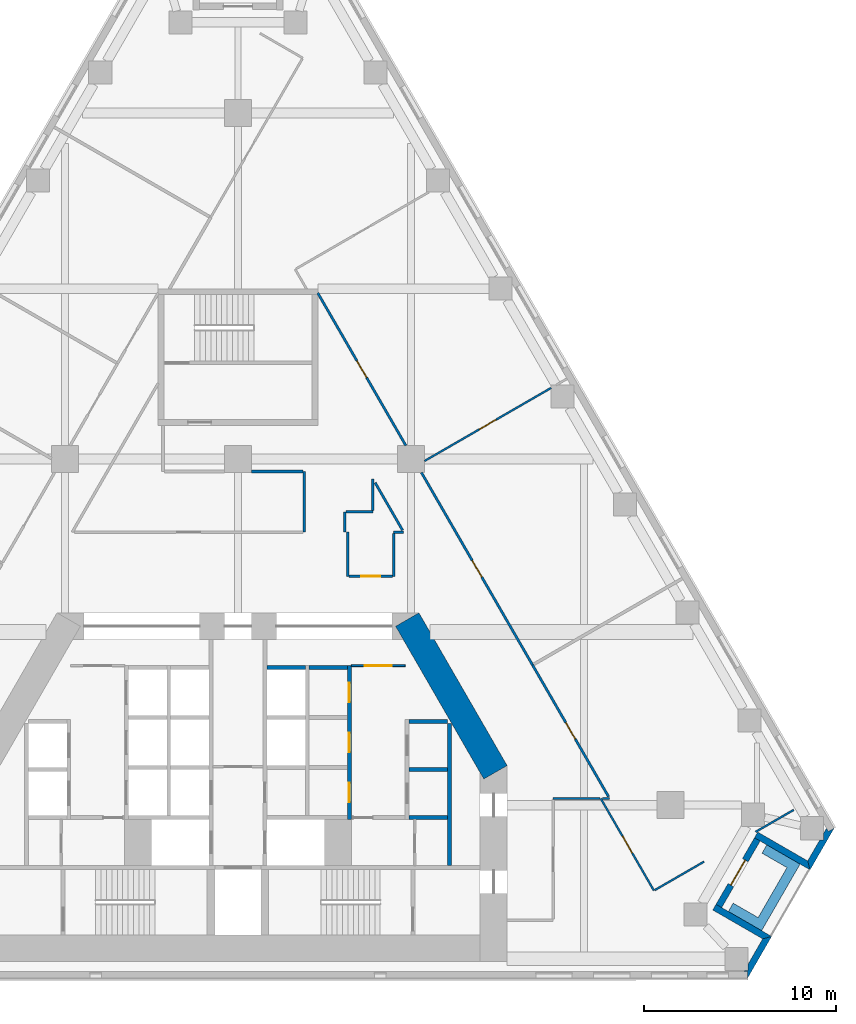
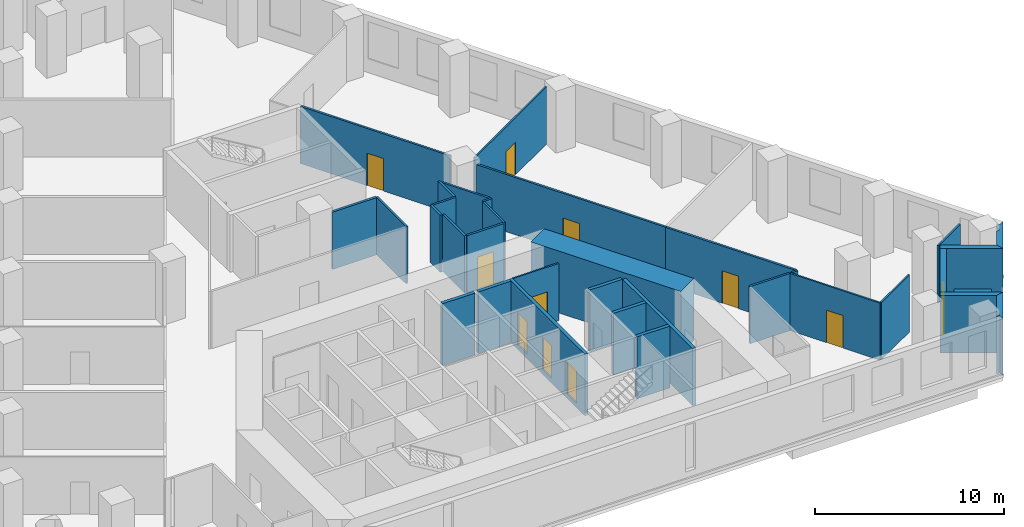
# One storey, part 6 of 9: 34 walls, 11 doors, 11 openings.
"""IFC4 building model written with IfcOpenShell, lengths in metres."""

from ifc_helpers import new_model, si_unit, direction, frame, frame_2d, origin, place, context, subcontext, project, spatial, polyline, rectangle, outline, extrude, material, layer, layer_set, type_object, element, fill, save


model = new_model("IFC4")

# Units and contexts
model_context = context("Model", 3, precision=1e-05, world=origin(), true_north=direction((0.0, 1.0)))
body_context = subcontext(model_context, "Body", "Model", "MODEL_VIEW")
ifc_project = project(units=[si_unit("LENGTHUNIT", "METRE"), si_unit("AREAUNIT", "SQUARE_METRE"), si_unit("VOLUMEUNIT", "CUBIC_METRE"), si_unit("PLANEANGLEUNIT", "RADIAN"), si_unit("MASSUNIT", "GRAM", prefix="KILO")], contexts=[model_context])

# Site, building, storey
site_placement = place(None, origin())
site = spatial("IfcSite", under=ifc_project, at=site_placement, CompositionType="ELEMENT")
building_placement = place(site_placement, origin())
building = spatial("IfcBuilding", under=site, at=building_placement, Name="Fogline Exchange Tower", CompositionType="ELEMENT")
storey_placement = place(building_placement, frame((0.0, 0.0, 80.89990234375)))
storey = spatial("IfcBuildingStorey", under=building, at=storey_placement, Name="L17", CompositionType="ELEMENT", Elevation=80.89990234375)

# Wall, opening, door
ifc_material_1 = material(Name="Blockwork partition", Category="masonry")
ifc_layer_1 = layer(ifc_material_1, 0.10009765625)
ifc_layer_set_1 = layer_set([ifc_layer_1], Name="CW10")
wall_type_1 = type_object("IfcWallType", Name="CW10", PredefinedType="PARTITIONING", material=ifc_layer_set_1)
wall_1_placement = place(storey_placement, frame((5.89990234375, 16.25, 0.0), z_axis=(0.0, 0.0, 1.0), x_axis=(1.0, 0.0, 0.0)))
wall_1 = element("IfcWall", 1, at=wall_1_placement, inside=storey, type_object=wall_type_1, Name="Lift lobby partition", PredefinedType="PARTITIONING", context=body_context, shape_type="SweptSolid", body=[
    extrude(rectangle(XDim=2.800048828125, YDim=0.10009765625, at=frame_2d((1.39990234375, 0.0))), origin(), (0.0, 0.0, 1.0), 3.7001953125),
])
opening_1_placement = place(wall_1_placement, frame((0.699951171875, 0.0, 0.0)))
opening_1 = element("IfcOpeningElement", 2, at=opening_1_placement, cuts=wall_1, Name="Opening T05-C013", PredefinedType="OPENING", context=body_context, shape_type="SweptSolid", body=[
    extrude(rectangle(XDim=1.39990234375, YDim=2.10009765625, at=frame_2d((0.699951171875, 1.050048828125))), frame((0.0, 0.06005859375, 0.0), z_axis=(0.0, -1.0, 0.0), x_axis=(1.0, 0.0, 0.0)), (0.0, 0.0, 1.0), 0.1201171875),
])
ifc_material_2 = material(Name="Steel and timber fire door", Category="steel")
door_type_1 = type_object("IfcDoorType", Name="D-LB1", OperationType="DOUBLE_DOOR_SINGLE_SWING", PredefinedType="DOOR", material=ifc_material_2)
door_1_placement = place(opening_1_placement, origin())
door_1 = element("IfcDoor", 3, at=door_1_placement, inside=storey, type_object=door_type_1, Name="Door to lift lobby", OperationType="DOUBLE_DOOR_SINGLE_SWING", OverallHeight=2.10009765625, OverallWidth=1.39990234375, PredefinedType="DOOR", context=body_context, shape_type="SweptSolid", body=[
    extrude(rectangle(XDim=1.39990234375, YDim=2.10009765625, at=frame_2d((0.699951171875, 1.050048828125))), frame((0.0, 0.02490234375, 0.0), z_axis=(0.0, -1.0, 0.0), x_axis=(1.0, 0.0, 0.0)), (0.0, 0.0, 1.0), 0.050048828125),
])
fill(opening_1, door_1)

# Wall
ifc_material_3 = material(Name="Concrete C40", Category="concrete")
ifc_layer_2 = layer(ifc_material_3, 0.199951171875)
ifc_layer_set_2 = layer_set([ifc_layer_2], Name="CW20")
wall_type_2 = type_object("IfcWallType", Name="CW20", PredefinedType="SOLIDWALL", material=ifc_layer_set_2)
wall_2_placement = place(storey_placement, frame((11.0, 5.85009765625, 0.0), z_axis=(0.0, 0.0, 1.0), x_axis=(0.0, 1.0, 0.0)))
element("IfcWall", 4, at=wall_2_placement, inside=storey, type_object=wall_type_2, Name="Service room wall", PredefinedType="SOLIDWALL", context=body_context, shape_type="SweptSolid", body=[
    extrude(rectangle(XDim=7.39990234375, YDim=0.199951171875, at=frame_2d((3.699951171875, 0.0))), origin(), (0.0, 0.0, 1.0), 3.7001953125),
])

# Wall, openings, doors
ifc_layer_3 = layer(ifc_material_3, 0.199951171875)
ifc_layer_set_3 = layer_set([ifc_layer_3], Name="CW20S")
wall_type_3 = type_object("IfcWallType", Name="CW20S", PredefinedType="SOLIDWALL", material=ifc_layer_set_3)
wall_3_placement = place(storey_placement, frame((5.800048828125, 8.25, -0.2998046875), z_axis=(0.0, 0.0, 1.0), x_axis=(0.0, 1.0, 0.0)))
wall_3 = element("IfcWall", 5, at=wall_3_placement, inside=storey, type_object=wall_type_3, Name="Lift shaft wall", PredefinedType="SOLIDWALL", context=body_context, shape_type="SweptSolid", body=[
    extrude(rectangle(XDim=8.0, YDim=0.199951171875, at=frame_2d((4.0, 0.0))), origin(), (0.0, 0.0, 1.0), 4.0),
])
opening_2_placement = place(wall_3_placement, frame((0.89990234375, 0.0, 0.300048828125)))
opening_2 = element("IfcOpeningElement", 6, at=opening_2_placement, cuts=wall_3, Name="Opening T05-C003", PredefinedType="OPENING", context=body_context, shape_type="SweptSolid", body=[
    extrude(rectangle(XDim=1.0, YDim=2.10009765625, at=frame_2d((0.5, 1.050048828125))), frame((0.0, 0.10986328125, 0.0), z_axis=(0.0, -1.0, 0.0), x_axis=(1.0, 0.0, 0.0)), (0.0, 0.0, 1.0), 0.219970703125),
])
opening_3_placement = place(wall_3_placement, frame((3.5, 0.0, 0.300048828125)))
opening_3 = element("IfcOpeningElement", 7, at=opening_3_placement, cuts=wall_3, Name="Opening T05-C004", PredefinedType="OPENING", context=body_context, shape_type="SweptSolid", body=[
    extrude(rectangle(XDim=1.0, YDim=2.10009765625, at=frame_2d((0.5, 1.050048828125))), frame((0.0, 0.10986328125, 0.0), z_axis=(0.0, -1.0, 0.0), x_axis=(1.0, 0.0, 0.0)), (0.0, 0.0, 1.0), 0.219970703125),
])
opening_4_placement = place(wall_3_placement, frame((6.10009765625, 0.0, 0.300048828125)))
opening_4 = element("IfcOpeningElement", 8, at=opening_4_placement, cuts=wall_3, Name="Opening T05-C005", PredefinedType="OPENING", context=body_context, shape_type="SweptSolid", body=[
    extrude(rectangle(XDim=1.0, YDim=2.10009765625, at=frame_2d((0.5, 1.050048828125))), frame((0.0, 0.10986328125, 0.0), z_axis=(0.0, -1.0, 0.0), x_axis=(1.0, 0.0, 0.0)), (0.0, 0.0, 1.0), 0.219970703125),
])
door_type_2 = type_object("IfcDoorType", Name="D-RM1", OperationType="SINGLE_SWING_LEFT", PredefinedType="DOOR", material=ifc_material_2)
door_2_placement = place(opening_2_placement, origin())
door_2 = element("IfcDoor", 9, at=door_2_placement, inside=storey, type_object=door_type_2, Name="Door to Library Store", OperationType="SINGLE_SWING_RIGHT", OverallHeight=2.10009765625, OverallWidth=1.0, PredefinedType="DOOR", context=body_context, shape_type="SweptSolid", body=[
    extrude(rectangle(XDim=1.0, YDim=2.10009765625, at=frame_2d((0.5, 1.050048828125))), frame((0.0, 0.02490234375, 0.0), z_axis=(0.0, -1.0, 0.0), x_axis=(1.0, 0.0, 0.0)), (0.0, 0.0, 1.0), 0.050048828125),
])
fill(opening_2, door_2)
door_3_placement = place(opening_3_placement, origin())
door_3 = element("IfcDoor", 10, at=door_3_placement, inside=storey, type_object=door_type_2, Name="Door to Stationery Store", OperationType="SINGLE_SWING_LEFT", OverallHeight=2.10009765625, OverallWidth=1.0, PredefinedType="DOOR", context=body_context, shape_type="SweptSolid", body=[
    extrude(rectangle(XDim=1.0, YDim=2.10009765625, at=frame_2d((0.5, 1.050048828125))), frame((0.0, 0.02490234375, 0.0), z_axis=(0.0, -1.0, 0.0), x_axis=(1.0, 0.0, 0.0)), (0.0, 0.0, 1.0), 0.050048828125),
])
fill(opening_3, door_3)
door_4_placement = place(opening_4_placement, origin())
door_4 = element("IfcDoor", 11, at=door_4_placement, inside=storey, type_object=door_type_2, Name="Door to Records Store", OperationType="SINGLE_SWING_LEFT", OverallHeight=2.10009765625, OverallWidth=1.0, PredefinedType="DOOR", context=body_context, shape_type="SweptSolid", body=[
    extrude(rectangle(XDim=1.0, YDim=2.10009765625, at=frame_2d((0.5, 1.050048828125))), frame((0.0, 0.02490234375, 0.0), z_axis=(0.0, -1.0, 0.0), x_axis=(1.0, 0.0, 0.0)), (0.0, 0.0, 1.0), 0.050048828125),
])
fill(opening_4, door_4)

# Walls
for number, where, z_axis, x_axis, name in (
    (12, (8.89990234375, 8.35009765625, -0.2998046875), (0.0, 0.0, 1.0), (1.0, 0.0, 0.0), "Lift shaft wall"),
    (13, (8.89990234375, 10.85009765625, -0.2998046875), (0.0, 0.0, 1.0), (1.0, 0.0, 0.0), "Lift shaft wall"),
    (14, (8.89990234375, 13.35009765625, -0.2998046875), (0.0, 0.0, 1.0), (1.0, 0.0, 0.0), "Lift shaft wall"),
    (15, (3.699951171875, 16.14990234375, -0.2998046875), (0.0, 0.0, 1.0), (1.0, 0.0, 0.0), "Lift shaft wall"),
    (16, (1.5, 16.14990234375, -0.2998046875), (0.0, 0.0, 1.0), (1.0, 0.0, 0.0), "Lift shaft wall"),
):
    element("IfcWall", number, at=place(storey_placement, frame(where, z_axis=z_axis, x_axis=x_axis)), inside=storey, type_object=wall_type_3, Name=name, PredefinedType="SOLIDWALL", context=body_context, shape_type="SweptSolid", body=[
        extrude(rectangle(XDim=2.0, YDim=0.199951171875, at=frame_2d((1.0, 0.0))), origin(), (0.0, 0.0, 1.0), 4.0),
    ])
ifc_material_4 = material(Name="Brick masonry", Category="masonry")
ifc_layer_4 = layer(ifc_material_4, 0.340087890625)
ifc_layer_set_4 = layer_set([ifc_layer_4], Name="FW1")
wall_type_4 = type_object("IfcWallType", Name="FW1", PredefinedType="SOLIDWALL", material=ifc_layer_set_4)
wall_4_placement = place(storey_placement, origin())
element("IfcWall", 17, at=wall_4_placement, inside=storey, type_object=wall_type_4, Name="Brick wall L17 SE-c1", PredefinedType="SOLIDWALL", context=body_context, shape_type="SweptSolid", body=[
    extrude(outline(polyline([(27.761474609375, 2.165771484375), (26.510498046875, -0.001220703125), (26.509765625, -0.0009765625), (26.509765625, 0.33935546875), (26.31298828125, 0.33935546875), (26.34814453125, 0.39990234375), (26.533203125, 0.39990234375), (26.533203125, 0.720458984375), (27.295654296875, 2.041015625), (27.76123046875, 2.166015625), (27.761474609375, 2.165771484375)])), origin(), (0.0, 0.0, 1.0), 3.7001953125),
])
wall_5_placement = place(storey_placement, origin())
element("IfcWall", 18, at=wall_5_placement, inside=storey, type_object=wall_type_4, Name="Brick wall L17 SE-s1", PredefinedType="SOLIDWALL", context=body_context, shape_type="SweptSolid", body=[
    extrude(outline(polyline([(24.697021484375, 3.540283203125), (24.86767578125, 3.8359375), (25.16259765625, 3.66552734375), (27.76171875, 2.1650390625), (27.76171875, 2.164794921875), (27.2958984375, 2.0400390625), (24.697021484375, 3.540283203125)])), origin(), (0.0, 0.0, 1.0), 3.7001953125),
])

# Wall, opening, door
wall_6_placement = place(storey_placement, frame((25.01513671875, 3.75, 0.0), z_axis=(0.0, 0.0, 1.0), x_axis=(0.49999894854, 0.866026010844, 0.0)))
wall_6 = element("IfcWall", 19, at=wall_6_placement, inside=storey, type_object=wall_type_4, Name="Brick wall L17 SE-bk", PredefinedType="SOLIDWALL", context=body_context, shape_type="SweptSolid", body=[
    extrude(rectangle(XDim=4.0, YDim=0.340087890625, at=frame_2d((2.0, 0.0))), origin(), (0.0, 0.0, 1.0), 3.7001953125),
])
opening_5_placement = place(wall_6_placement, frame((1.25, 0.0, 0.0)))
opening_5 = element("IfcOpeningElement", 20, at=opening_5_placement, cuts=wall_6, Name="Opening T05-E081", PredefinedType="OPENING", context=body_context, shape_type="SweptSolid", body=[
    extrude(rectangle(XDim=1.5, YDim=2.39990234375, at=frame_2d((0.75, 1.199951171875))), frame((0.0, 0.18017578125, 0.0), z_axis=(0.0, -1.0, 0.0), x_axis=(1.0, 0.0, 0.0)), (0.0, 0.0, 1.0), 0.360107421875),
])
ifc_material_5 = material(Name="Aluminium and glass", Category="aluminium")
door_type_3 = type_object("IfcDoorType", Name="ED4", OperationType="SINGLE_SWING_LEFT", PredefinedType="DOOR", material=ifc_material_5)
door_5_placement = place(opening_5_placement, frame((1.5, 0.0, 0.0), z_axis=(0.0, 0.0, 1.0), x_axis=(-1.0, 0.0, 0.0)))
door_5 = element("IfcDoor", 21, at=door_5_placement, inside=storey, type_object=door_type_3, Name="Balcony door L17 SE", OperationType="DOUBLE_DOOR_SINGLE_SWING", OverallHeight=2.39990234375, OverallWidth=1.5, PredefinedType="DOOR", context=body_context, shape_type="SweptSolid", body=[
    extrude(rectangle(XDim=1.5, YDim=2.39990234375, at=frame_2d((0.75, 1.199951171875))), frame((0.0, 0.02490234375, 0.0), z_axis=(0.0, -1.0, 0.0), x_axis=(1.0, 0.0, 0.0)), (0.0, 0.0, 1.0), 0.050048828125),
])
fill(opening_5, door_5)

# Walls
wall_7_placement = place(storey_placement, origin())
element("IfcWall", 22, at=wall_7_placement, inside=storey, type_object=wall_type_4, Name="Brick wall L17 SE-s2", PredefinedType="SOLIDWALL", context=body_context, shape_type="SweptSolid", body=[
    extrude(outline(polyline([(29.760986328125, 5.628173828125), (27.162109375, 7.128662109375), (26.8671875, 7.298828125), (27.03759765625, 7.594482421875), (29.636474609375, 6.093994140625), (29.76123046875, 5.62841796875), (29.760986328125, 5.628173828125)])), origin(), (0.0, 0.0, 1.0), 3.7001953125),
])
wall_8_placement = place(storey_placement, origin())
element("IfcWall", 23, at=wall_8_placement, inside=storey, type_object=wall_type_4, Name="Brick wall L17 SE-c2", PredefinedType="SOLIDWALL", context=body_context, shape_type="SweptSolid", body=[
    extrude(outline(polyline([(30.270751953125, 7.194091796875), (30.455810546875, 7.194091796875), (30.455810546875, 7.5146484375), (30.617919921875, 7.79541015625), (30.71630859375, 7.625), (31.010986328125, 7.79541015625), (31.011474609375, 7.794921875), (29.760498046875, 5.6279296875), (29.760009765625, 5.6279296875), (29.63525390625, 6.09375), (30.270751953125, 7.194091796875)])), origin(), (0.0, 0.0, 1.0), 3.7001953125),
])
ifc_material_6 = material(Name="Concrete C30", Category="concrete")
ifc_layer_5 = layer(ifc_material_6, 0.199951171875)
ifc_layer_set_5 = layer_set([ifc_layer_5], Name="PL1")
wall_type_5 = type_object("IfcWallType", Name="PL1", PredefinedType="USERDEFINED", material=ifc_layer_set_5)
wall_9_placement = place(storey_placement, origin())
element("IfcWall", 24, at=wall_9_placement, inside=storey, type_object=wall_type_5, Name="PLANTER balcony L17 SE", ObjectType="PLANTER", PredefinedType="USERDEFINED", context=body_context, shape_type="SweptSolid", body=[
    extrude(outline(polyline([(25.5087890625, 3.465087890625), (26.807861328125, 2.715087890625), (26.807861328125, 2.715087890625), (27.24072265625, 2.465087890625), (28.99072265625, 5.49609375), (29.24072265625, 5.92919921875), (27.5087890625, 6.92919921875), (27.2587890625, 6.49609375), (28.557861328125, 5.74609375), (27.057861328125, 3.148193359375), (25.7587890625, 3.898193359375), (25.5087890625, 3.465087890625)])), origin(), (0.0, 0.0, 1.0), 1.10009765625),
])

# Wall, opening, door
ifc_material_7 = material(Name="Plasterboard partition, 2 layers each side on steel studs", Category="steel")
ifc_layer_6 = layer(ifc_material_7, 0.10009765625)
ifc_layer_set_6 = layer_set([ifc_layer_6], Name="PW1")
wall_type_6 = type_object("IfcWallType", Name="PW1", PredefinedType="PARTITIONING", material=ifc_layer_set_6)
wall_10_placement = place(storey_placement, frame((9.699951171875, 26.895751953125, 0.0), z_axis=(0.0, 0.0, 1.0), x_axis=(0.866021009999, 0.500007610182, 0.0)))
wall_10 = element("IfcWall", 25, at=wall_10_placement, inside=storey, type_object=wall_type_6, Name="wall-L17-W032", PredefinedType="PARTITIONING", context=body_context, shape_type="SweptSolid", body=[
    extrude(rectangle(XDim=7.60888671875, YDim=0.10009765625, at=frame_2d((3.804443359375, 0.0))), origin(), (0.0, 0.0, 1.0), 3.7001953125),
])
opening_6_placement = place(wall_10_placement, frame((3.30419921875, 0.0, 0.0)))
opening_6 = element("IfcOpeningElement", 26, at=opening_6_placement, cuts=wall_10, Name="Opening T05-D014", PredefinedType="OPENING", context=body_context, shape_type="SweptSolid", body=[
    extrude(rectangle(XDim=1.0, YDim=2.10009765625, at=frame_2d((0.5, 1.050048828125))), frame((0.0, 0.06005859375, 0.0), z_axis=(0.0, -1.0, 0.0), x_axis=(1.0, 0.0, 0.0)), (0.0, 0.0, 1.0), 0.1201171875),
])
ifc_material_8 = material(Name="Timber door leaf with steel frame", Category="steel")
door_type_4 = type_object("IfcDoorType", Name="D1", OperationType="SINGLE_SWING_LEFT", PredefinedType="DOOR", material=ifc_material_8)
door_6_placement = place(opening_6_placement, frame((1.0, 0.0, 0.0), z_axis=(0.0, 0.0, 1.0), x_axis=(-1.0, 0.0, 0.0)))
door_6 = element("IfcDoor", 27, at=door_6_placement, inside=storey, type_object=door_type_4, Name="door-L17-D014", OperationType="SINGLE_SWING_RIGHT", OverallHeight=2.10009765625, OverallWidth=1.0, PredefinedType="DOOR", context=body_context, shape_type="SweptSolid", body=[
    extrude(rectangle(XDim=1.0, YDim=2.10009765625, at=frame_2d((0.5, 1.050048828125))), frame((0.0, 0.02490234375, 0.0), z_axis=(0.0, -1.0, 0.0), x_axis=(1.0, 0.0, 0.0)), (0.0, 0.0, 1.0), 0.050048828125),
])
fill(opening_6, door_6)

wall_11_placement = place(storey_placement, frame((18.87109375, 9.340087890625, 0.0), z_axis=(0.0, 0.0, 1.0), x_axis=(0.499998843543, -0.866026071464, 0.0)))
wall_11 = element("IfcWall", 28, at=wall_11_placement, inside=storey, type_object=wall_type_6, Name="wall-L17-W050", PredefinedType="PARTITIONING", context=body_context, shape_type="SweptSolid", body=[
    extrude(rectangle(XDim=5.53076171875, YDim=0.10009765625, at=frame_2d((2.765380859375, 0.0))), origin(), (0.0, 0.0, 1.0), 3.7001953125),
])
opening_7_placement = place(wall_11_placement, frame((2.265380859375, 0.0, 0.0)))
opening_7 = element("IfcOpeningElement", 29, at=opening_7_placement, cuts=wall_11, Name="Opening T05-D019", PredefinedType="OPENING", context=body_context, shape_type="SweptSolid", body=[
    extrude(rectangle(XDim=1.0, YDim=2.10009765625, at=frame_2d((0.5, 1.050048828125))), frame((0.0, 0.06005859375, 0.0), z_axis=(0.0, -1.0, 0.0), x_axis=(1.0, 0.0, 0.0)), (0.0, 0.0, 1.0), 0.1201171875),
])
door_7_placement = place(opening_7_placement, frame((1.0, 0.0, 0.0), z_axis=(0.0, 0.0, 1.0), x_axis=(-1.0, 0.0, 0.0)))
door_7 = element("IfcDoor", 30, at=door_7_placement, inside=storey, type_object=door_type_4, Name="door-L17-D019", OperationType="SINGLE_SWING_RIGHT", OverallHeight=2.10009765625, OverallWidth=1.0, PredefinedType="DOOR", context=body_context, shape_type="SweptSolid", body=[
    extrude(rectangle(XDim=1.0, YDim=2.10009765625, at=frame_2d((0.5, 1.050048828125))), frame((0.0, 0.02490234375, 0.0), z_axis=(0.0, -1.0, 0.0), x_axis=(1.0, 0.0, 0.0)), (0.0, 0.0, 1.0), 0.050048828125),
])
fill(opening_7, door_7)

# Walls
wall_12_placement = place(storey_placement, frame((21.6796875, 4.5751953125, 0.0), z_axis=(0.0, 0.0, 1.0), x_axis=(0.866018146021, 0.500012570604, 0.0)))
element("IfcWall", 31, at=wall_12_placement, inside=storey, type_object=wall_type_6, Name="wall-L17-W051", PredefinedType="PARTITIONING", context=body_context, shape_type="SweptSolid", body=[
    extrude(rectangle(XDim=2.96240234375, YDim=0.10009765625, at=frame_2d((1.481201171875, 0.0))), origin(), (0.0, 0.0, 1.0), 3.7001953125),
])
wall_13_placement = place(storey_placement, frame((26.92578125, 7.604248046875, 0.0), z_axis=(0.0, 0.0, 1.0), x_axis=(0.866072087953, 0.499919131929, 0.0)))
element("IfcWall", 32, at=wall_13_placement, inside=storey, type_object=wall_type_6, Name="wall-L17-W052", PredefinedType="PARTITIONING", context=body_context, shape_type="SweptSolid", body=[
    extrude(rectangle(XDim=2.29248046875, YDim=0.10009765625, at=frame_2d((1.146240234375, 0.0))), origin(), (0.0, 0.0, 1.0), 3.7001953125),
])
ifc_material_9 = material(Name="Plasterboard corridor partition with mineral wool, 2 layers each side")
ifc_layer_7 = layer(ifc_material_9, 0.125)
ifc_layer_set_7 = layer_set([ifc_layer_7], Name="PW2")
wall_type_7 = type_object("IfcWallType", Name="PW2", PredefinedType="PARTITIONING", material=ifc_layer_set_7)
wall_14_placement = place(storey_placement, frame((5.699951171875, 23.199951171875, 0.0), z_axis=(0.0, 0.0, 1.0), x_axis=(0.0, -1.0, 0.0)))
element("IfcWall", 33, at=wall_14_placement, inside=storey, type_object=wall_type_7, Name="wall-L17-W003", PredefinedType="PARTITIONING", context=body_context, shape_type="SweptSolid", body=[
    extrude(rectangle(XDim=2.300048828125, YDim=0.125, at=frame_2d((1.14990234375, 0.0))), origin(), (0.0, 0.0, 1.0), 3.7001953125),
])

# Wall, opening, door
wall_15_placement = place(storey_placement, frame((5.762451171875, 20.89990234375, 0.0), z_axis=(0.0, 0.0, 1.0), x_axis=(1.0, 0.0, 0.0)))
wall_15 = element("IfcWall", 34, at=wall_15_placement, inside=storey, type_object=wall_type_7, Name="wall-L17-W004", PredefinedType="PARTITIONING", context=body_context, shape_type="SweptSolid", body=[
    extrude(rectangle(XDim=2.275146484375, YDim=0.125, at=frame_2d((1.1376953125, 0.0))), origin(), (0.0, 0.0, 1.0), 3.7001953125),
])
opening_8_placement = place(wall_15_placement, frame((0.637451171875, 0.0, 0.0)))
opening_8 = element("IfcOpeningElement", 35, at=opening_8_placement, cuts=wall_15, Name="Opening T05-D002", PredefinedType="OPENING", context=body_context, shape_type="SweptSolid", body=[
    extrude(rectangle(XDim=1.0, YDim=2.10009765625, at=frame_2d((0.5, 1.050048828125))), frame((0.0, 0.072509765625, 0.0), z_axis=(0.0, -1.0, 0.0), x_axis=(1.0, 0.0, 0.0)), (0.0, 0.0, 1.0), 0.14501953125),
])
ifc_material_10 = material(Name="Fire-rated timber door leaf with steel frame", Category="steel")
door_type_5 = type_object("IfcDoorType", Name="D3", OperationType="SINGLE_SWING_LEFT", PredefinedType="DOOR", material=ifc_material_10)
door_8_placement = place(opening_8_placement, origin())
door_8 = element("IfcDoor", 36, at=door_8_placement, inside=storey, type_object=door_type_5, Name="door-L17-D002", OperationType="SINGLE_SWING_LEFT", OverallHeight=2.10009765625, OverallWidth=1.0, PredefinedType="DOOR", context=body_context, shape_type="SweptSolid", body=[
    extrude(rectangle(XDim=1.0, YDim=2.10009765625, at=frame_2d((0.5, 1.050048828125))), frame((0.0, 0.02490234375, 0.0), z_axis=(0.0, -1.0, 0.0), x_axis=(1.0, 0.0, 0.0)), (0.0, 0.0, 1.0), 0.050048828125),
])
fill(opening_8, door_8)

# Walls
wall_16_placement = place(storey_placement, frame((8.10009765625, 20.89990234375, 0.0), z_axis=(0.0, 0.0, 1.0), x_axis=(0.0, 1.0, 0.0)))
element("IfcWall", 37, at=wall_16_placement, inside=storey, type_object=wall_type_7, Name="wall-L17-W005", PredefinedType="PARTITIONING", context=body_context, shape_type="SweptSolid", body=[
    extrude(rectangle(XDim=2.237548828125, YDim=0.125, at=frame_2d((1.11865234375, 0.0))), origin(), (0.0, 0.0, 1.0), 3.7001953125),
])
wall_17_placement = place(storey_placement, frame((8.10009765625, 23.199951171875, 0.0), z_axis=(0.0, 0.0, 1.0), x_axis=(1.0, 0.0, 0.0)))
element("IfcWall", 38, at=wall_17_placement, inside=storey, type_object=wall_type_7, Name="wall-L17-W006", PredefinedType="PARTITIONING", context=body_context, shape_type="SweptSolid", body=[
    extrude(rectangle(XDim=0.517333984375, YDim=0.125, at=frame_2d((0.2587890625, 0.0))), origin(), (0.0, 0.0, 1.0), 3.7001953125),
])

# Wall, opening, door
wall_18_placement = place(storey_placement, frame((9.541259765625, 26.300048828125, 0.0), z_axis=(0.0, 0.0, 1.0), x_axis=(0.500003905814, -0.86602314875, 0.0)))
wall_18 = element("IfcWall", 39, at=wall_18_placement, inside=storey, type_object=wall_type_7, Name="wall-L17-W022", PredefinedType="PARTITIONING", context=body_context, shape_type="SweptSolid", body=[
    extrude(rectangle(XDim=11.5634765625, YDim=0.125, at=frame_2d((5.78173828125, 0.0))), origin(), (0.0, 0.0, 1.0), 3.7001953125),
])
opening_9_placement = place(wall_18_placement, frame((5.28173828125, 0.0, 0.0)))
opening_9 = element("IfcOpeningElement", 40, at=opening_9_placement, cuts=wall_18, Name="Opening T05-D011", PredefinedType="OPENING", context=body_context, shape_type="SweptSolid", body=[
    extrude(rectangle(XDim=1.0, YDim=2.10009765625, at=frame_2d((0.5, 1.050048828125))), frame((0.0, 0.072509765625, 0.0), z_axis=(0.0, -1.0, 0.0), x_axis=(1.0, 0.0, 0.0)), (0.0, 0.0, 1.0), 0.14501953125),
])
door_9_placement = place(opening_9_placement, origin())
door_9 = element("IfcDoor", 41, at=door_9_placement, inside=storey, type_object=door_type_5, Name="door-L17-D011", OperationType="SINGLE_SWING_LEFT", OverallHeight=2.10009765625, OverallWidth=1.0, PredefinedType="DOOR", context=body_context, shape_type="SweptSolid", body=[
    extrude(rectangle(XDim=1.0, YDim=2.10009765625, at=frame_2d((0.5, 1.050048828125))), frame((0.0, 0.02490234375, 0.0), z_axis=(0.0, -1.0, 0.0), x_axis=(1.0, 0.0, 0.0)), (0.0, 0.0, 1.0), 0.050048828125),
])
fill(opening_9, door_9)

# Wall
wall_19_placement = place(storey_placement, frame((8.56298828125, 23.294189453125, 0.0), z_axis=(0.0, 0.0, 1.0), x_axis=(-0.499981393032, 0.866036146256, 0.0)))
element("IfcWall", 42, at=wall_19_placement, inside=storey, type_object=wall_type_7, Name="wall-L17-W023", PredefinedType="PARTITIONING", context=body_context, shape_type="SweptSolid", body=[
    extrude(rectangle(XDim=2.8564453125, YDim=0.125, at=frame_2d((1.42822265625, 0.0))), origin(), (0.0, 0.0, 1.0), 3.7001953125),
])

# Wall, opening, door
wall_20_placement = place(storey_placement, frame((4.14990234375, 35.637939453125, 0.0), z_axis=(0.0, 0.0, 1.0), x_axis=(0.50000066617, -0.86602501917, 0.0)))
wall_20 = element("IfcWall", 43, at=wall_20_placement, inside=storey, type_object=wall_type_7, Name="wall-L17-W024", PredefinedType="PARTITIONING", context=body_context, shape_type="SweptSolid", body=[
    extrude(rectangle(XDim=9.166015625, YDim=0.125, at=frame_2d((4.5830078125, 0.0))), origin(), (0.0, 0.0, 1.0), 3.7001953125),
])
opening_10_placement = place(wall_20_placement, frame((4.0830078125, 0.0, 0.0)))
opening_10 = element("IfcOpeningElement", 44, at=opening_10_placement, cuts=wall_20, Name="Opening T05-D012", PredefinedType="OPENING", context=body_context, shape_type="SweptSolid", body=[
    extrude(rectangle(XDim=1.0, YDim=2.10009765625, at=frame_2d((0.5, 1.050048828125))), frame((0.0, 0.072509765625, 0.0), z_axis=(0.0, -1.0, 0.0), x_axis=(1.0, 0.0, 0.0)), (0.0, 0.0, 1.0), 0.14501953125),
])
door_10_placement = place(opening_10_placement, origin())
door_10 = element("IfcDoor", 45, at=door_10_placement, inside=storey, type_object=door_type_5, Name="door-L17-D012", OperationType="SINGLE_SWING_LEFT", OverallHeight=2.10009765625, OverallWidth=1.0, PredefinedType="DOOR", context=body_context, shape_type="SweptSolid", body=[
    extrude(rectangle(XDim=1.0, YDim=2.10009765625, at=frame_2d((0.5, 1.050048828125))), frame((0.0, 0.02490234375, 0.0), z_axis=(0.0, -1.0, 0.0), x_axis=(1.0, 0.0, 0.0)), (0.0, 0.0, 1.0), 0.050048828125),
])
fill(opening_10, door_10)

# Wall
wall_21_placement = place(storey_placement, frame((18.827392578125, 9.340087890625, 0.0), z_axis=(0.0, 0.0, 1.0), x_axis=(-1.0, 0.0, 0.0)))
element("IfcWall", 46, at=wall_21_placement, inside=storey, type_object=wall_type_7, Name="wall-L17-W025", PredefinedType="PARTITIONING", context=body_context, shape_type="SweptSolid", body=[
    extrude(rectangle(XDim=2.427490234375, YDim=0.125, at=frame_2d((1.2138671875, 0.0))), origin(), (0.0, 0.0, 1.0), 3.7001953125),
])

# Wall, opening, door
wall_22_placement = place(storey_placement, frame((15.322998046875, 16.285888671875, 0.0), z_axis=(0.0, 0.0, 1.0), x_axis=(0.499992239852, -0.866029884062, 0.0)))
wall_22 = element("IfcWall", 47, at=wall_22_placement, inside=storey, type_object=wall_type_7, Name="wall-L17-W026", PredefinedType="PARTITIONING", context=body_context, shape_type="SweptSolid", body=[
    extrude(rectangle(XDim=7.911865234375, YDim=0.125, at=frame_2d((3.9560546875, 0.0))), origin(), (0.0, 0.0, 1.0), 3.7001953125),
])
opening_11_placement = place(wall_22_placement, frame((3.455810546875, 0.0, 0.0)))
opening_11 = element("IfcOpeningElement", 48, at=opening_11_placement, cuts=wall_22, Name="Opening T05-D013", PredefinedType="OPENING", context=body_context, shape_type="SweptSolid", body=[
    extrude(rectangle(XDim=1.0, YDim=2.10009765625, at=frame_2d((0.5, 1.050048828125))), frame((0.0, 0.072509765625, 0.0), z_axis=(0.0, -1.0, 0.0), x_axis=(1.0, 0.0, 0.0)), (0.0, 0.0, 1.0), 0.14501953125),
])
door_11_placement = place(opening_11_placement, origin())
door_11 = element("IfcDoor", 49, at=door_11_placement, inside=storey, type_object=door_type_5, Name="door-L17-D013", OperationType="SINGLE_SWING_LEFT", OverallHeight=2.10009765625, OverallWidth=1.0, PredefinedType="DOOR", context=body_context, shape_type="SweptSolid", body=[
    extrude(rectangle(XDim=1.0, YDim=2.10009765625, at=frame_2d((0.5, 1.050048828125))), frame((0.0, 0.02490234375, 0.0), z_axis=(0.0, -1.0, 0.0), x_axis=(1.0, 0.0, 0.0)), (0.0, 0.0, 1.0), 0.050048828125),
])
fill(opening_11, door_11)

# Walls
wall_23_placement = place(storey_placement, frame((19.3330078125, 9.340087890625, 0.0), z_axis=(0.0, 0.0, 1.0), x_axis=(-1.0, 0.0, 0.0)))
element("IfcWall", 50, at=wall_23_placement, inside=storey, type_object=wall_type_7, Name="wall-L17-W027", PredefinedType="PARTITIONING", context=body_context, shape_type="SweptSolid", body=[
    extrude(rectangle(XDim=0.367431640625, YDim=0.125, at=frame_2d((0.18359375, 0.0))), origin(), (0.0, 0.0, 1.0), 3.7001953125),
])
wall_24_placement = place(storey_placement, frame((5.550048828125, 24.257080078125, 0.0), z_axis=(0.0, 0.0, 1.0), x_axis=(0.0, -1.0, 0.0)))
element("IfcWall", 51, at=wall_24_placement, inside=storey, type_object=wall_type_7, Name="wall-L17-W028", PredefinedType="PARTITIONING", context=body_context, shape_type="SweptSolid", body=[
    extrude(rectangle(XDim=1.05712890625, YDim=0.125, at=frame_2d((0.528564453125, 0.0))), origin(), (0.0, 0.0, 1.0), 3.7001953125),
])
wall_25_placement = place(storey_placement, frame((3.449951171875, 23.199951171875, 0.0), z_axis=(0.0, 0.0, 1.0), x_axis=(0.0, 1.0, 0.0)))
element("IfcWall", 52, at=wall_25_placement, inside=storey, type_object=wall_type_7, Name="wall-L17-W029", PredefinedType="PARTITIONING", context=body_context, shape_type="SweptSolid", body=[
    extrude(rectangle(XDim=3.156982421875, YDim=0.125, at=frame_2d((1.57861328125, 0.0))), origin(), (0.0, 0.0, 1.0), 3.7001953125),
])
wall_26_placement = place(storey_placement, frame((7.01806640625, 24.257080078125, 0.0), z_axis=(0.0, 0.0, 1.0), x_axis=(-1.0, 0.0, 0.0)))
element("IfcWall", 53, at=wall_26_placement, inside=storey, type_object=wall_type_7, Name="wall-L17-W030", PredefinedType="PARTITIONING", context=body_context, shape_type="SweptSolid", body=[
    extrude(rectangle(XDim=1.405517578125, YDim=0.125, at=frame_2d((0.70263671875, 0.0))), origin(), (0.0, 0.0, 1.0), 3.7001953125),
])
wall_27_placement = place(storey_placement, frame((7.01806640625, 25.970458984375, 0.0), z_axis=(0.0, 0.0, 1.0), x_axis=(0.0, -1.0, 0.0)))
element("IfcWall", 54, at=wall_27_placement, inside=storey, type_object=wall_type_7, Name="wall-L17-W031", PredefinedType="PARTITIONING", context=body_context, shape_type="SweptSolid", body=[
    extrude(rectangle(XDim=1.65087890625, YDim=0.125, at=frame_2d((0.825439453125, 0.0))), origin(), (0.0, 0.0, 1.0), 3.7001953125),
])
ifc_material_11 = material(Name="Plasterboard stair lobby partition, 3 layers each side on steel studs", Category="steel")
ifc_layer_8 = layer(ifc_material_11, 0.14990234375)
ifc_layer_set_8 = layer_set([ifc_layer_8], Name="PW4")
wall_type_8 = type_object("IfcWallType", Name="PW4", PredefinedType="PARTITIONING", material=ifc_layer_set_8)
wall_28_placement = place(storey_placement, frame((3.387451171875, 26.35693359375, 0.0), z_axis=(0.0, 0.0, 1.0), x_axis=(-1.0, 0.0, 0.0)))
element("IfcWall", 55, at=wall_28_placement, inside=storey, type_object=wall_type_8, Name="wall-L17-W019", PredefinedType="PARTITIONING", context=body_context, shape_type="SweptSolid", body=[
    extrude(rectangle(XDim=2.6875, YDim=0.14990234375, at=frame_2d((1.34375, 0.0))), origin(), (0.0, 0.0, 1.0), 3.7001953125),
])
ifc_material_12 = material(Name="Concrete C60", Category="concrete")
ifc_layer_9 = layer(ifc_material_12, 1.39990234375)
ifc_layer_set_9 = layer_set([ifc_layer_9], Name="SW01")
wall_type_9 = type_object("IfcWallType", Name="SW01", PredefinedType="SHEAR", material=ifc_layer_set_9)
wall_29_placement = place(storey_placement, frame((13.393798828125, 10.70263671875, 0.0), z_axis=(0.0, 0.0, 1.0), x_axis=(-0.50000187635, 0.866024320471, 0.0)))
element("IfcWall", 56, at=wall_29_placement, inside=storey, type_object=wall_type_9, Name="L17-W903", PredefinedType="SHEAR", context=body_context, shape_type="SweptSolid", body=[
    extrude(rectangle(XDim=9.1767578125, YDim=1.39990234375, at=frame_2d((4.58837890625, 0.0))), origin(), (0.0, 0.0, 1.0), 4.0),
])

save(model, "model.ifc")
